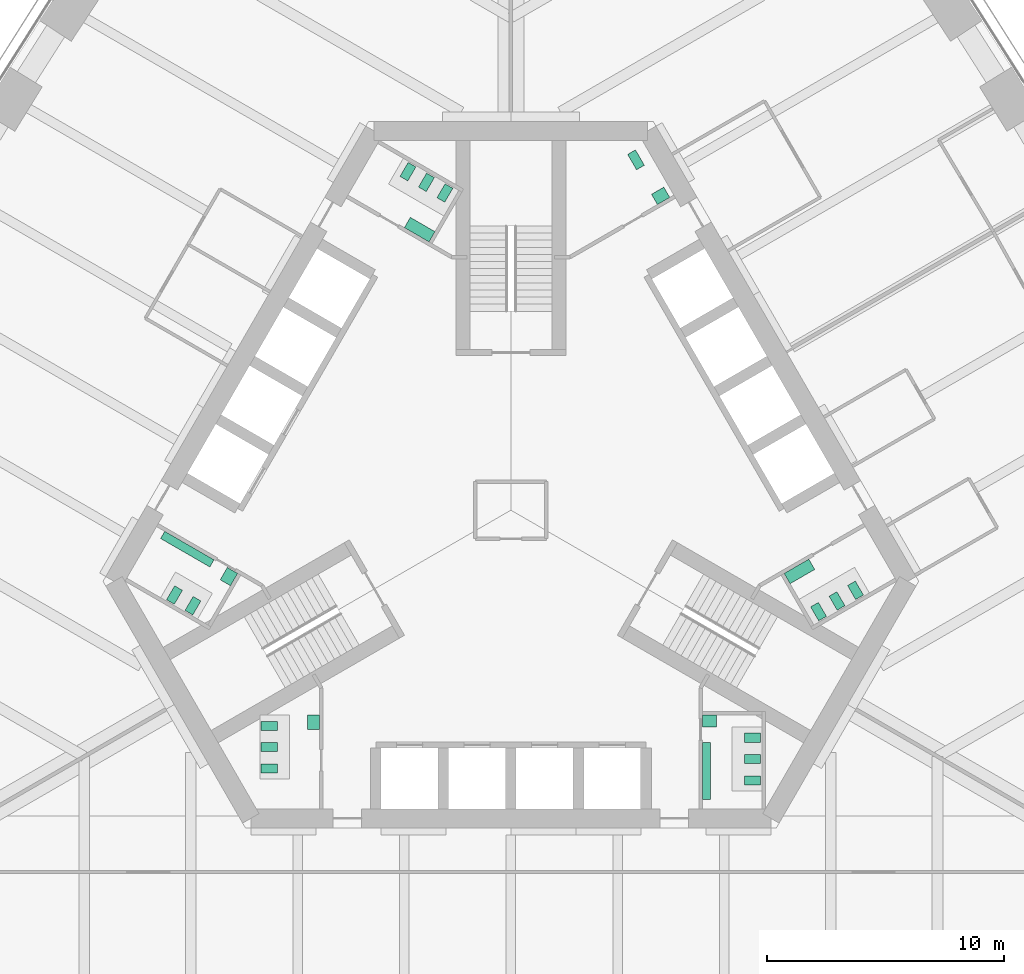
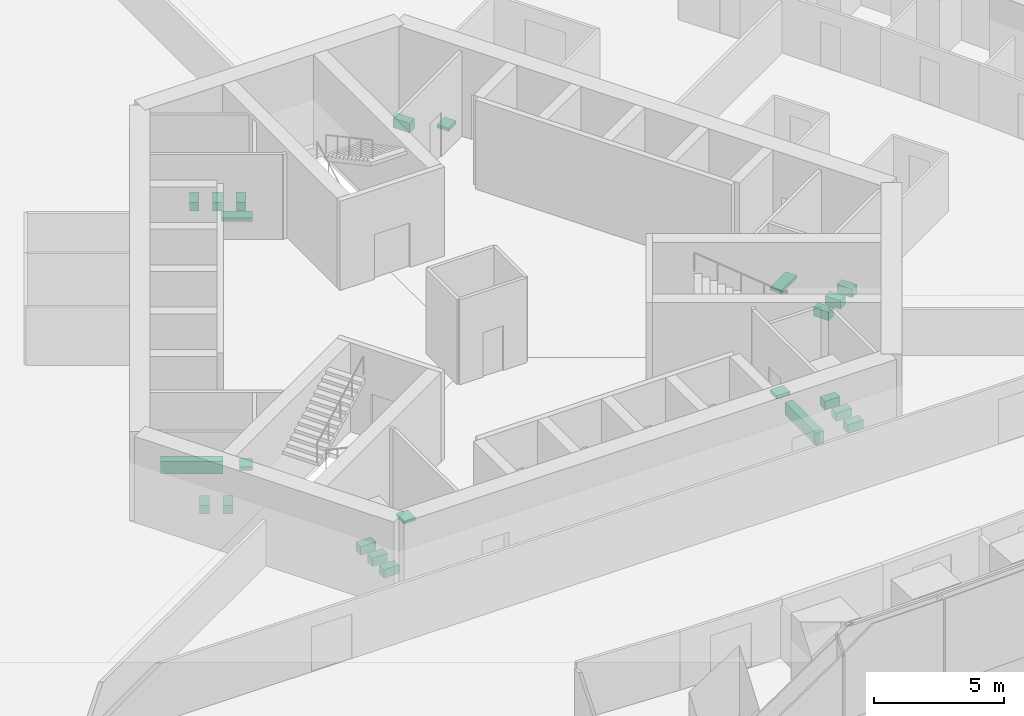
# One storey, part 18 of 19: 23 sanitary terminals.
"""IFC4 building model written with IfcOpenShell, lengths in metres."""

from ifc_helpers import new_model, si_unit, direction, frame, origin, place, context, subcontext, project, spatial, polyline, outline, extrude, material, type_object, element, save


model = new_model("IFC4")

# Units and contexts
model_context = context("Model", 3, precision=1e-05, world=origin(), true_north=direction((0.0, 1.0)))
body_context = subcontext(model_context, "Body", "Model", "MODEL_VIEW")
ifc_project = project(units=[si_unit("LENGTHUNIT", "METRE"), si_unit("AREAUNIT", "SQUARE_METRE"), si_unit("VOLUMEUNIT", "CUBIC_METRE"), si_unit("PLANEANGLEUNIT", "RADIAN"), si_unit("MASSUNIT", "GRAM", prefix="KILO")], contexts=[model_context])

# Site, building, storey
site_placement = place(None, origin())
site = spatial("IfcSite", under=ifc_project, at=site_placement, CompositionType="ELEMENT")
building_placement = place(site_placement, origin())
building = spatial("IfcBuilding", under=site, at=building_placement, Name="Trefoil Bronze Tower", CompositionType="ELEMENT")
storey_placement = place(building_placement, frame((0.0, 0.0, 83.699951171875)))
storey = spatial("IfcBuildingStorey", under=building, at=storey_placement, Name="L19", CompositionType="ELEMENT", Elevation=83.699951171875)

# Sanitary terminals
ifc_material_1 = material(Name="Vitreous china", Category="ceramic")
sanitary_terminal_type_1 = type_object("IfcSanitaryTerminalType", Name="Accessible WC pan", PredefinedType="TOILETPAN", material=ifc_material_1)
sanitary_terminal_1_placement = place(storey_placement, origin())
element("IfcSanitaryTerminal", 1, at=sanitary_terminal_1_placement, inside=storey, type_object=sanitary_terminal_type_1, Name="WC pan 1 Accessible WC L19", PredefinedType="TOILETPAN", context=body_context, shape_type="SweptSolid", body=[
    extrude(outline(polyline([(5.300537109375, 14.359130859375), (4.925537109375, 15.008544921875), (5.254638671875, 15.198486328125), (5.629638671875, 14.549072265625), (5.300537109375, 14.359130859375)])), origin(), (0.0, 0.0, 1.0), 0.449951171875),
])
ifc_material_2 = material(Name="Vitreous china", Category="ceramic")
sanitary_terminal_type_2 = type_object("IfcSanitaryTerminalType", Name="Accessible basin", PredefinedType="WASHHANDBASIN", material=ifc_material_2)
sanitary_terminal_2_placement = place(storey_placement, frame((0.0, 0.0, 0.650146484375)))
element("IfcSanitaryTerminal", 2, at=sanitary_terminal_2_placement, inside=storey, type_object=sanitary_terminal_type_2, Name="Wash basin Accessible WC L19", PredefinedType="WASHHANDBASIN", context=body_context, shape_type="SweptSolid", body=[
    extrude(outline(polyline([(6.181640625, 12.89306640625), (5.931640625, 13.326171875), (6.451171875, 13.626220703125), (6.701171875, 13.193115234375), (6.181640625, 12.89306640625)])), origin(), (0.0, 0.0, 1.0), 0.14990234375),
])
ifc_material_3 = material(Name="Vitreous china", Category="ceramic")
sanitary_terminal_type_3 = type_object("IfcSanitaryTerminalType", Name="Urinal range 4 urinals", PredefinedType="URINAL", material=ifc_material_3)
sanitary_terminal_3_placement = place(storey_placement, frame((0.0, 0.0, 0.400146484375)))
element("IfcSanitaryTerminal", 3, at=sanitary_terminal_3_placement, inside=storey, type_object=sanitary_terminal_type_3, Name="Urinal range WC (men) L19", PredefinedType="URINAL", context=body_context, shape_type="SweptSolid", body=[
    extrude(outline(polyline([(8.074951171875, -9.800048828125), (8.425048828125, -9.800048828125), (8.425048828125, -12.199951171875), (8.074951171875, -12.199951171875), (8.074951171875, -9.800048828125)])), origin(), (0.0, 0.0, 1.0), 0.599853515625),
])
sanitary_terminal_4_placement = place(storey_placement, frame((0.0, 0.0, 0.400146484375)))
element("IfcSanitaryTerminal", 4, at=sanitary_terminal_4_placement, inside=storey, type_object=sanitary_terminal_type_3, Name="Urinal range WC (men) L19", PredefinedType="URINAL", context=body_context, shape_type="SweptSolid", body=[
    extrude(outline(polyline([(-12.524658203125, -2.09326171875), (-12.699462890625, -2.396240234375), (-14.778076171875, -1.1962890625), (-14.60302734375, -0.89306640625), (-12.524658203125, -2.09326171875)])), origin(), (0.0, 0.0, 1.0), 0.599853515625),
])
ifc_material_4 = material(Name="Solid surface vanity", Category="plastic")
sanitary_terminal_type_4 = type_object("IfcSanitaryTerminalType", Name="Vanity unit 1 basins", PredefinedType="WASHHANDBASIN", material=ifc_material_4)
sanitary_terminal_5_placement = place(storey_placement, frame((0.0, 0.0, 0.75)))
element("IfcSanitaryTerminal", 5, at=sanitary_terminal_5_placement, inside=storey, type_object=sanitary_terminal_type_4, Name="Vanity unit WC (men) L19", PredefinedType="WASHHANDBASIN", context=body_context, shape_type="SweptSolid", body=[
    extrude(outline(polyline([(8.074951171875, -8.64990234375), (8.675048828125, -8.64990234375), (8.675048828125, -9.14990234375), (8.074951171875, -9.14990234375), (8.074951171875, -8.64990234375)])), origin(), (0.0, 0.0, 1.0), 0.150146484375),
])
sanitary_terminal_6_placement = place(storey_placement, frame((0.0, 0.0, 0.75)))
element("IfcSanitaryTerminal", 6, at=sanitary_terminal_6_placement, inside=storey, type_object=sanitary_terminal_type_4, Name="Vanity unit WC (men) L19", PredefinedType="WASHHANDBASIN", context=body_context, shape_type="SweptSolid", body=[
    extrude(outline(polyline([(-11.528564453125, -2.668212890625), (-11.82861328125, -3.187744140625), (-12.26171875, -2.937744140625), (-11.961669921875, -2.418212890625), (-11.528564453125, -2.668212890625)])), origin(), (0.0, 0.0, 1.0), 0.150146484375),
])
sanitary_terminal_7_placement = place(storey_placement, frame((0.0, 0.0, 0.75)))
element("IfcSanitaryTerminal", 7, at=sanitary_terminal_7_placement, inside=storey, type_object=sanitary_terminal_type_4, Name="Vanity unit WC (women) L19", PredefinedType="WASHHANDBASIN", context=body_context, shape_type="SweptSolid", body=[
    extrude(outline(polyline([(-8.074951171875, -8.64990234375), (-8.574951171875, -8.64990234375), (-8.574951171875, -9.25), (-8.074951171875, -9.25), (-8.074951171875, -8.64990234375)])), origin(), (0.0, 0.0, 1.0), 0.150146484375),
])
ifc_material_5 = material(Name="Solid surface vanity", Category="plastic")
sanitary_terminal_type_5 = type_object("IfcSanitaryTerminalType", Name="Vanity unit 2 basins", PredefinedType="WASHHANDBASIN", material=ifc_material_5)
sanitary_terminal_8_placement = place(storey_placement, frame((0.0, 0.0, 0.75)))
element("IfcSanitaryTerminal", 8, at=sanitary_terminal_8_placement, inside=storey, type_object=sanitary_terminal_type_5, Name="Vanity unit WC (women) L19", PredefinedType="WASHHANDBASIN", context=body_context, shape_type="SweptSolid", body=[
    extrude(outline(polyline([(11.528564453125, -2.668212890625), (11.778564453125, -3.10107421875), (12.81787109375, -2.501220703125), (12.56787109375, -2.068115234375), (11.528564453125, -2.668212890625)])), origin(), (0.0, 0.0, 1.0), 0.150146484375),
])
sanitary_terminal_9_placement = place(storey_placement, frame((0.0, 0.0, 0.75)))
element("IfcSanitaryTerminal", 9, at=sanitary_terminal_9_placement, inside=storey, type_object=sanitary_terminal_type_5, Name="Vanity unit WC (women) L19", PredefinedType="WASHHANDBASIN", context=body_context, shape_type="SweptSolid", body=[
    extrude(outline(polyline([(-3.45361328125, 11.318115234375), (-3.20361328125, 11.751220703125), (-4.242919921875, 12.35107421875), (-4.492919921875, 11.918212890625), (-3.45361328125, 11.318115234375)])), origin(), (0.0, 0.0, 1.0), 0.150146484375),
])
ifc_material_6 = material(Name="Vitreous china", Category="ceramic")
sanitary_terminal_type_6 = type_object("IfcSanitaryTerminalType", Name="WC pan", PredefinedType="TOILETPAN", material=ifc_material_6)
sanitary_terminal_10_placement = place(storey_placement, origin())
element("IfcSanitaryTerminal", 10, at=sanitary_terminal_10_placement, inside=storey, type_object=sanitary_terminal_type_6, Name="WC pan 1 WC (men) L19", PredefinedType="TOILETPAN", context=body_context, shape_type="SweptSolid", body=[
    extrude(outline(polyline([(9.85498046875, -9.409912109375), (10.534912109375, -9.409912109375), (10.534912109375, -9.7900390625), (9.85498046875, -9.7900390625), (9.85498046875, -9.409912109375)])), origin(), (0.0, 0.0, 1.0), 0.400146484375),
])
sanitary_terminal_11_placement = place(storey_placement, origin())
element("IfcSanitaryTerminal", 11, at=sanitary_terminal_11_placement, inside=storey, type_object=sanitary_terminal_type_6, Name="WC pan 2 WC (men) L19", PredefinedType="TOILETPAN", context=body_context, shape_type="SweptSolid", body=[
    extrude(outline(polyline([(9.85498046875, -10.31005859375), (10.534912109375, -10.31005859375), (10.534912109375, -10.68994140625), (9.85498046875, -10.68994140625), (9.85498046875, -10.31005859375)])), origin(), (0.0, 0.0, 1.0), 0.400146484375),
])
sanitary_terminal_12_placement = place(storey_placement, origin())
element("IfcSanitaryTerminal", 12, at=sanitary_terminal_12_placement, inside=storey, type_object=sanitary_terminal_type_6, Name="WC pan 3 WC (men) L19", PredefinedType="TOILETPAN", context=body_context, shape_type="SweptSolid", body=[
    extrude(outline(polyline([(9.85498046875, -11.2099609375), (10.534912109375, -11.2099609375), (10.534912109375, -11.590087890625), (9.85498046875, -11.590087890625), (9.85498046875, -11.2099609375)])), origin(), (0.0, 0.0, 1.0), 0.400146484375),
])
sanitary_terminal_13_placement = place(storey_placement, origin())
element("IfcSanitaryTerminal", 13, at=sanitary_terminal_13_placement, inside=storey, type_object=sanitary_terminal_type_6, Name="WC pan 1 WC (women) L19", PredefinedType="TOILETPAN", context=body_context, shape_type="SweptSolid", body=[
    extrude(outline(polyline([(12.643798828125, -4.07958984375), (12.98388671875, -4.66845703125), (13.31298828125, -4.478515625), (12.972900390625, -3.8896484375), (12.643798828125, -4.07958984375)])), origin(), (0.0, 0.0, 1.0), 0.400146484375),
])
sanitary_terminal_14_placement = place(storey_placement, origin())
element("IfcSanitaryTerminal", 14, at=sanitary_terminal_14_placement, inside=storey, type_object=sanitary_terminal_type_6, Name="WC pan 2 WC (women) L19", PredefinedType="TOILETPAN", context=body_context, shape_type="SweptSolid", body=[
    extrude(outline(polyline([(13.423095703125, -3.629638671875), (13.76318359375, -4.218505859375), (14.09228515625, -4.028564453125), (13.752197265625, -3.439697265625), (13.423095703125, -3.629638671875)])), origin(), (0.0, 0.0, 1.0), 0.400146484375),
])
sanitary_terminal_15_placement = place(storey_placement, origin())
element("IfcSanitaryTerminal", 15, at=sanitary_terminal_15_placement, inside=storey, type_object=sanitary_terminal_type_6, Name="WC pan 3 WC (women) L19", PredefinedType="TOILETPAN", context=body_context, shape_type="SweptSolid", body=[
    extrude(outline(polyline([(14.20263671875, -3.1796875), (14.542724609375, -3.7685546875), (14.871826171875, -3.57861328125), (14.53173828125, -2.98974609375), (14.20263671875, -3.1796875)])), origin(), (0.0, 0.0, 1.0), 0.400146484375),
])
sanitary_terminal_16_placement = place(storey_placement, origin())
element("IfcSanitaryTerminal", 16, at=sanitary_terminal_16_placement, inside=storey, type_object=sanitary_terminal_type_6, Name="WC pan 1 WC (women) L19", PredefinedType="TOILETPAN", context=body_context, shape_type="SweptSolid", body=[
    extrude(outline(polyline([(-2.788818359375, 12.98974609375), (-2.44873046875, 13.57861328125), (-2.77783203125, 13.7685546875), (-3.117919921875, 13.1796875), (-2.788818359375, 12.98974609375)])), origin(), (0.0, 0.0, 1.0), 0.400146484375),
])
sanitary_terminal_17_placement = place(storey_placement, origin())
element("IfcSanitaryTerminal", 17, at=sanitary_terminal_17_placement, inside=storey, type_object=sanitary_terminal_type_6, Name="WC pan 2 WC (women) L19", PredefinedType="TOILETPAN", context=body_context, shape_type="SweptSolid", body=[
    extrude(outline(polyline([(-3.568115234375, 13.439697265625), (-3.228271484375, 14.028564453125), (-3.557373046875, 14.218505859375), (-3.897216796875, 13.629638671875), (-3.568115234375, 13.439697265625)])), origin(), (0.0, 0.0, 1.0), 0.400146484375),
])
sanitary_terminal_18_placement = place(storey_placement, origin())
element("IfcSanitaryTerminal", 18, at=sanitary_terminal_18_placement, inside=storey, type_object=sanitary_terminal_type_6, Name="WC pan 3 WC (women) L19", PredefinedType="TOILETPAN", context=body_context, shape_type="SweptSolid", body=[
    extrude(outline(polyline([(-4.34765625, 13.8896484375), (-4.007568359375, 14.478515625), (-4.336669921875, 14.66845703125), (-4.6767578125, 14.07958984375), (-4.34765625, 13.8896484375)])), origin(), (0.0, 0.0, 1.0), 0.400146484375),
])
sanitary_terminal_19_placement = place(storey_placement, origin())
element("IfcSanitaryTerminal", 19, at=sanitary_terminal_19_placement, inside=storey, type_object=sanitary_terminal_type_6, Name="WC pan 1 WC (men) L19", PredefinedType="TOILETPAN", context=body_context, shape_type="SweptSolid", body=[
    extrude(outline(polyline([(-13.076904296875, -3.82958984375), (-13.416748046875, -4.41845703125), (-13.745849609375, -4.228515625), (-13.406005859375, -3.6396484375), (-13.076904296875, -3.82958984375)])), origin(), (0.0, 0.0, 1.0), 0.400146484375),
])
sanitary_terminal_20_placement = place(storey_placement, origin())
element("IfcSanitaryTerminal", 20, at=sanitary_terminal_20_placement, inside=storey, type_object=sanitary_terminal_type_6, Name="WC pan 2 WC (men) L19", PredefinedType="TOILETPAN", context=body_context, shape_type="SweptSolid", body=[
    extrude(outline(polyline([(-13.856201171875, -3.379638671875), (-14.1962890625, -3.968505859375), (-14.525390625, -3.778564453125), (-14.185302734375, -3.189697265625), (-13.856201171875, -3.379638671875)])), origin(), (0.0, 0.0, 1.0), 0.400146484375),
])
sanitary_terminal_21_placement = place(storey_placement, origin())
element("IfcSanitaryTerminal", 21, at=sanitary_terminal_21_placement, inside=storey, type_object=sanitary_terminal_type_6, Name="WC pan 1 WC (women) L19", PredefinedType="TOILETPAN", context=body_context, shape_type="SweptSolid", body=[
    extrude(outline(polyline([(-9.85498046875, -8.909912109375), (-10.534912109375, -8.909912109375), (-10.534912109375, -9.2900390625), (-9.85498046875, -9.2900390625), (-9.85498046875, -8.909912109375)])), origin(), (0.0, 0.0, 1.0), 0.400146484375),
])
sanitary_terminal_22_placement = place(storey_placement, origin())
element("IfcSanitaryTerminal", 22, at=sanitary_terminal_22_placement, inside=storey, type_object=sanitary_terminal_type_6, Name="WC pan 2 WC (women) L19", PredefinedType="TOILETPAN", context=body_context, shape_type="SweptSolid", body=[
    extrude(outline(polyline([(-9.85498046875, -9.81005859375), (-10.534912109375, -9.81005859375), (-10.534912109375, -10.18994140625), (-9.85498046875, -10.18994140625), (-9.85498046875, -9.81005859375)])), origin(), (0.0, 0.0, 1.0), 0.400146484375),
])
sanitary_terminal_23_placement = place(storey_placement, origin())
element("IfcSanitaryTerminal", 23, at=sanitary_terminal_23_placement, inside=storey, type_object=sanitary_terminal_type_6, Name="WC pan 3 WC (women) L19", PredefinedType="TOILETPAN", context=body_context, shape_type="SweptSolid", body=[
    extrude(outline(polyline([(-9.85498046875, -10.7099609375), (-10.534912109375, -10.7099609375), (-10.534912109375, -11.090087890625), (-9.85498046875, -11.090087890625), (-9.85498046875, -10.7099609375)])), origin(), (0.0, 0.0, 1.0), 0.400146484375),
])

save(model, "model.ifc")
